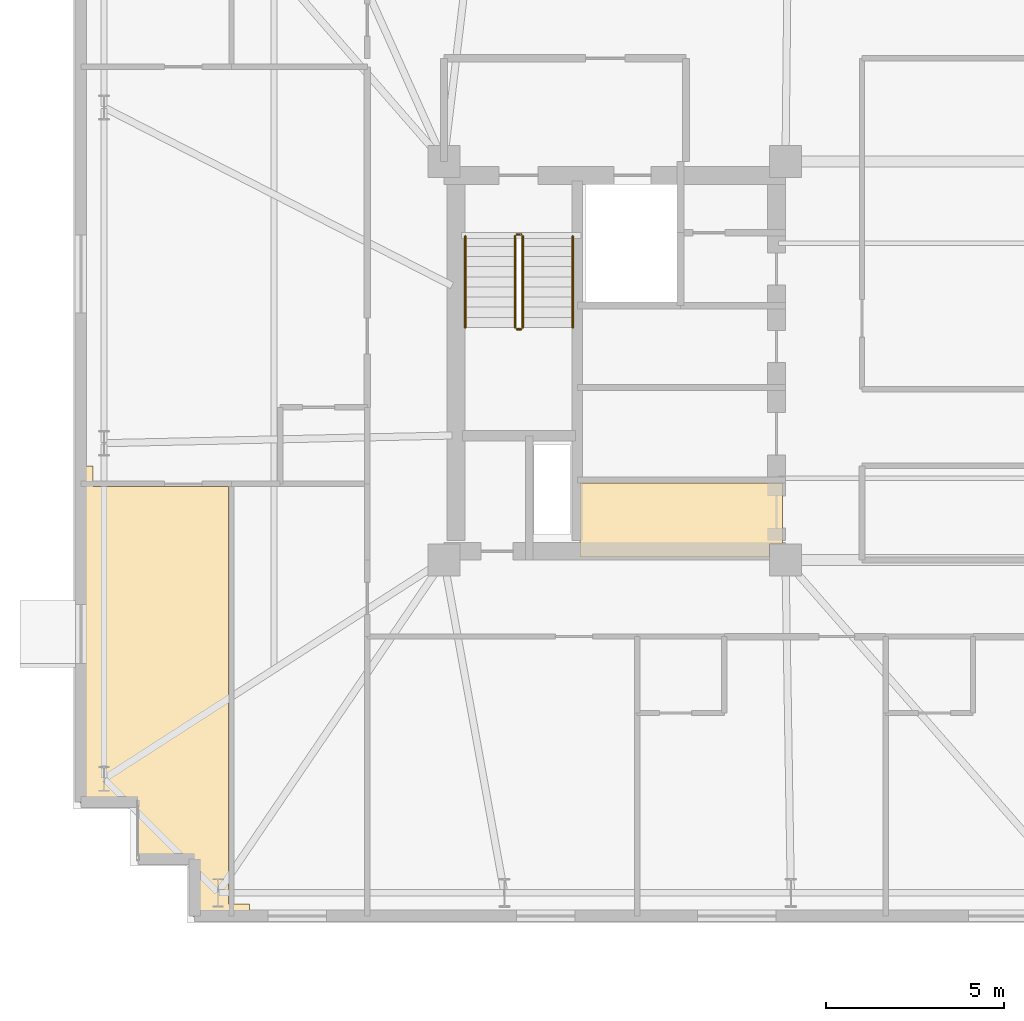
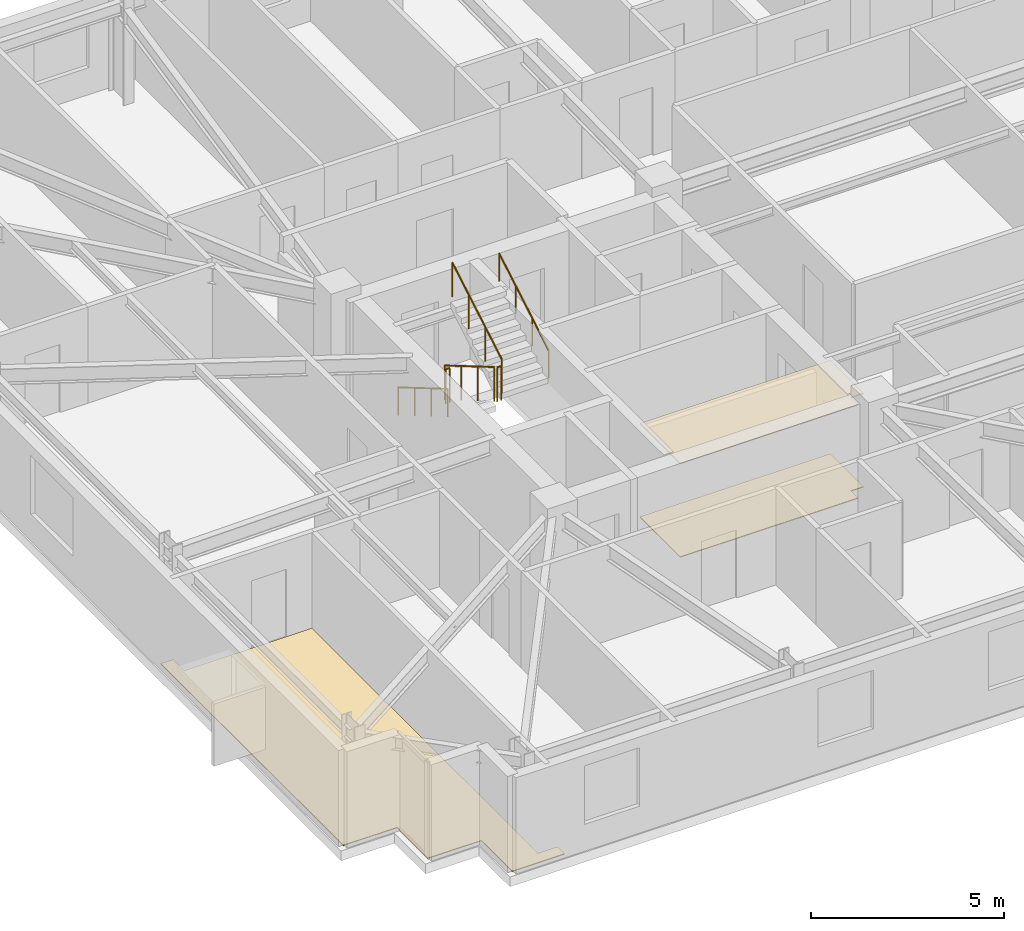
# One storey, part 16 of 17: 6 railings, 3 coverings.
"""IFC4 building model written with IfcOpenShell, lengths in metres."""

from ifc_helpers import new_model, si_unit, direction, frame, origin, origin_2d, place, context, subcontext, project, spatial, polyline, circle, outline, extrude, material, layer, layer_set, type_object, element, save


model = new_model("IFC4")

# Units and contexts
model_context = context("Model", 3, precision=1e-05, world=origin(), true_north=direction((0.0, 1.0)))
body_context = subcontext(model_context, "Body", "Model", "MODEL_VIEW")
ifc_project = project(units=[si_unit("LENGTHUNIT", "METRE"), si_unit("AREAUNIT", "SQUARE_METRE"), si_unit("VOLUMEUNIT", "CUBIC_METRE"), si_unit("PLANEANGLEUNIT", "RADIAN"), si_unit("MASSUNIT", "GRAM", prefix="KILO")], contexts=[model_context])

# Site, building, storey
site_placement = place(None, origin())
site = spatial("IfcSite", under=ifc_project, at=site_placement, CompositionType="ELEMENT")
building_placement = place(site_placement, origin())
building = spatial("IfcBuilding", under=site, at=building_placement, Name="Qobustan Lattice House", CompositionType="ELEMENT")
storey_placement = place(building_placement, frame((0.0, 0.0, 144.39990234375)))
storey = spatial("IfcBuildingStorey", under=building, at=storey_placement, Name="L40", CompositionType="ELEMENT", Elevation=144.39990234375)

# Coverings
ifc_material_1 = material(Name="Perforated gypsum acoustic ceiling", Category="gypsum")
ifc_layer_1 = layer(ifc_material_1, 0.030029296875)
ifc_layer_set_1 = layer_set([ifc_layer_1], Name="Perforated gypsum acoustic ceiling")
covering_type_1 = type_object("IfcCoveringType", Name="COV-ACOUSTIC-CEIL", PredefinedType="CEILING", material=ifc_layer_set_1)
covering_1_placement = place(storey_placement, frame((0.0, 0.0, 2.9501953125)))
element("IfcCovering", 1, at=covering_1_placement, inside=storey, type_object=covering_type_1, Name="L40 Quiet study alcove acoustic ceiling", PredefinedType="CEILING", context=body_context, shape_type="SweptSolid", body=[
    extrude(outline(polyline([(-9.280029296875, -3.429931640625), (-14.969970703125, -3.429931640625), (-14.969970703125, -5.52001953125), (-9.652099609375, -5.52001953125), (-9.652099609375, -5.14794921875), (-9.280029296875, -5.14794921875), (-9.280029296875, -3.429931640625)])), origin(), (0.0, 0.0, 1.0), 0.02978515625),
])
ifc_material_2 = material(Name="Honed Absheron stone terrazzo flooring", Category="masonry")
ifc_layer_2 = layer(ifc_material_2, 0.02490234375)
ifc_layer_set_2 = layer_set([ifc_layer_2], Name="Honed Absheron stone terrazzo flooring")
covering_type_2 = type_object("IfcCoveringType", Name="COV-TERRAZZO-FLR", PredefinedType="FLOORING", material=ifc_layer_set_2)
covering_2_placement = place(storey_placement, origin())
element("IfcCovering", 2, at=covering_2_placement, inside=storey, type_object=covering_type_2, Name="L40 Quiet study alcove stone terrazzo flooring", PredefinedType="FLOORING", context=body_context, shape_type="SweptSolid", body=[
    extrude(outline(polyline([(-9.280029296875, -3.429931640625), (-14.969970703125, -3.429931640625), (-14.969970703125, -5.52001953125), (-9.652099609375, -5.52001953125), (-9.652099609375, -5.14794921875), (-9.280029296875, -5.14794921875), (-9.280029296875, -3.429931640625)])), origin(), (0.0, 0.0, 1.0), 0.025146484375),
])
covering_3_placement = place(storey_placement, origin())
element("IfcCovering", 3, at=covering_3_placement, inside=storey, type_object=covering_type_2, Name="L40 Focus study room W1A stone terrazzo flooring", PredefinedType="FLOORING", context=body_context, shape_type="SweptSolid", body=[
    extrude(outline(polyline([(-25.830078125, -15.6298828125), (-24.264892578125, -15.6298828125), (-24.264892578125, -15.260009765625), (-24.844970703125, -15.260009765625), (-24.844970703125, -3.5400390625), (-28.659912109375, -3.5400390625), (-28.659912109375, -2.9599609375), (-29.030029296875, -2.9599609375), (-29.030029296875, -12.429931640625), (-27.429931640625, -12.429931640625), (-27.429931640625, -14.030029296875), (-25.830078125, -14.030029296875), (-25.830078125, -15.6298828125)])), origin(), (0.0, 0.0, 1.0), 0.025146484375),
])

# Railings
ifc_material_3 = material(Name="Brushed stainless steel handrail", Category="steel")
railing_type_1 = type_object("IfcRailingType", Name="RAL-HR-920", PredefinedType="HANDRAIL", material=ifc_material_3)
railing_1_placement = place(storey_placement, frame((-18.199951171875, 3.5, 0.16748046875)))
element("IfcRailing", 4, at=railing_1_placement, inside=storey, type_object=railing_type_1, Name="L40 ST-W1 stair handrail 1", PredefinedType="HANDRAIL", context=body_context, shape_type="SweptSolid", body=[
    extrude(circle(Radius=0.02392578125, at=origin_2d()), frame((0.0, 0.0, 0.8759765625), z_axis=(0.0, -0.862113467892, 0.50671527358), x_axis=(1.0, 0.0, 0.0)), (0.0, 0.0, 1.0), 2.97509765625),
    extrude(circle(Radius=0.02099609375, at=origin_2d()), origin(), (0.0, 0.0, 1.0), 0.851806640625),
    extrude(circle(Radius=0.02099609375, at=origin_2d()), frame((0.0, -0.85498046875, 0.50244140625)), (0.0, 0.0, 1.0), 0.851806640625),
    extrude(circle(Radius=0.02099609375, at=origin_2d()), frame((0.0, -1.7099609375, 1.005126953125)), (0.0, 0.0, 1.0), 0.851806640625),
    extrude(circle(Radius=0.02099609375, at=origin_2d()), frame((0.0, -2.56494140625, 1.507568359375)), (0.0, 0.0, 1.0), 0.851806640625),
])
railing_2_placement = place(storey_placement, frame((-15.179931640625, 0.93505859375, 1.842529296875)))
element("IfcRailing", 5, at=railing_2_placement, inside=storey, type_object=railing_type_1, Name="L40 ST-W1 stair handrail 2", PredefinedType="HANDRAIL", context=body_context, shape_type="SweptSolid", body=[
    extrude(circle(Radius=0.02392578125, at=origin_2d()), frame((0.0, 0.0, 0.8759765625), z_axis=(0.0, 0.862113467892, 0.50671527358), x_axis=(-1.0, 0.0, 0.0)), (0.0, 0.0, 1.0), 2.97509765625),
    extrude(circle(Radius=0.02099609375, at=origin_2d()), origin(), (0.0, 0.0, 1.0), 0.851806640625),
    extrude(circle(Radius=0.02099609375, at=origin_2d()), frame((0.0, 0.85498046875, 0.50244140625)), (0.0, 0.0, 1.0), 0.851806640625),
    extrude(circle(Radius=0.02099609375, at=origin_2d()), frame((0.0, 1.7099609375, 1.005126953125)), (0.0, 0.0, 1.0), 0.851806640625),
    extrude(circle(Radius=0.02099609375, at=origin_2d()), frame((0.0, 2.56494140625, 1.507568359375)), (0.0, 0.0, 1.0), 0.851806640625),
])
ifc_material_4 = material(Name="Painted galvanized steel guardrail", Category="steel")
railing_type_2 = type_object("IfcRailingType", Name="RAL-STG-1150", PredefinedType="GUARDRAIL", material=ifc_material_4)
railing_3_placement = place(storey_placement, frame((-16.800048828125, 3.5, 0.16748046875)))
element("IfcRailing", 6, at=railing_3_placement, inside=storey, type_object=railing_type_2, Name="L40 ST-W1 stair guard 1", PredefinedType="GUARDRAIL", context=body_context, shape_type="SweptSolid", body=[
    extrude(circle(Radius=0.02392578125, at=origin_2d()), frame((0.0, 0.0, 1.076171875), z_axis=(0.0, -0.862113467892, 0.50671527358), x_axis=(1.0, 0.0, 0.0)), (0.0, 0.0, 1.0), 2.97509765625),
    extrude(circle(Radius=0.02099609375, at=origin_2d()), origin(), (0.0, 0.0, 1.0), 1.052001953125),
    extrude(circle(Radius=0.02099609375, at=origin_2d()), frame((0.0, -0.85498046875, 0.50244140625)), (0.0, 0.0, 1.0), 1.052001953125),
    extrude(circle(Radius=0.02099609375, at=origin_2d()), frame((0.0, -1.7099609375, 1.005126953125)), (0.0, 0.0, 1.0), 1.052001953125),
    extrude(circle(Radius=0.02099609375, at=origin_2d()), frame((0.0, -2.56494140625, 1.507568359375)), (0.0, 0.0, 1.0), 1.052001953125),
])
railing_4_placement = place(storey_placement, frame((-16.75, 0.885009765625, 1.675048828125)))
element("IfcRailing", 7, at=railing_4_placement, inside=storey, type_object=railing_type_2, Name="L40 ST-W1 stair guard 2", PredefinedType="GUARDRAIL", context=body_context, shape_type="SweptSolid", body=[
    extrude(circle(Radius=0.02392578125, at=origin_2d()), frame((0.0, 0.0, 1.076171875), z_axis=(1.0, 0.0, 0.0), x_axis=(0.0, 1.0, 0.0)), (0.0, 0.0, 1.0), 0.1201171875),
    extrude(circle(Radius=0.02099609375, at=origin_2d()), origin(), (0.0, 0.0, 1.0), 1.052001953125),
    extrude(circle(Radius=0.02099609375, at=origin_2d()), frame((0.1201171875, 0.0, 0.0)), (0.0, 0.0, 1.0), 1.052001953125),
])
railing_5_placement = place(storey_placement, frame((-16.580078125, 0.93505859375, 1.842529296875)))
element("IfcRailing", 8, at=railing_5_placement, inside=storey, type_object=railing_type_2, Name="L40 ST-W1 stair guard 3", PredefinedType="GUARDRAIL", context=body_context, shape_type="SweptSolid", body=[
    extrude(circle(Radius=0.02392578125, at=origin_2d()), frame((0.0, 0.0, 1.076171875), z_axis=(0.0, 0.862113467892, 0.50671527358), x_axis=(-1.0, 0.0, 0.0)), (0.0, 0.0, 1.0), 2.97509765625),
    extrude(circle(Radius=0.02099609375, at=origin_2d()), origin(), (0.0, 0.0, 1.0), 1.052001953125),
    extrude(circle(Radius=0.02099609375, at=origin_2d()), frame((0.0, 0.85498046875, 0.50244140625)), (0.0, 0.0, 1.0), 1.052001953125),
    extrude(circle(Radius=0.02099609375, at=origin_2d()), frame((0.0, 1.7099609375, 1.005126953125)), (0.0, 0.0, 1.0), 1.052001953125),
    extrude(circle(Radius=0.02099609375, at=origin_2d()), frame((0.0, 2.56494140625, 1.507568359375)), (0.0, 0.0, 1.0), 1.052001953125),
])
railing_6_placement = place(storey_placement, frame((-16.75, 3.550048828125, 0.0)))
element("IfcRailing", 9, at=railing_6_placement, inside=storey, type_object=railing_type_2, Name="L40 ST-W1 stair guard 4", PredefinedType="GUARDRAIL", context=body_context, shape_type="SweptSolid", body=[
    extrude(circle(Radius=0.02392578125, at=origin_2d()), frame((0.0, 0.0, 1.076171875), z_axis=(1.0, 0.0, 0.0), x_axis=(0.0, 1.0, 0.0)), (0.0, 0.0, 1.0), 0.1201171875),
    extrude(circle(Radius=0.02099609375, at=origin_2d()), origin(), (0.0, 0.0, 1.0), 1.052001953125),
    extrude(circle(Radius=0.02099609375, at=origin_2d()), frame((0.1201171875, 0.0, 0.0)), (0.0, 0.0, 1.0), 1.052001953125),
])

save(model, "model.ifc")
